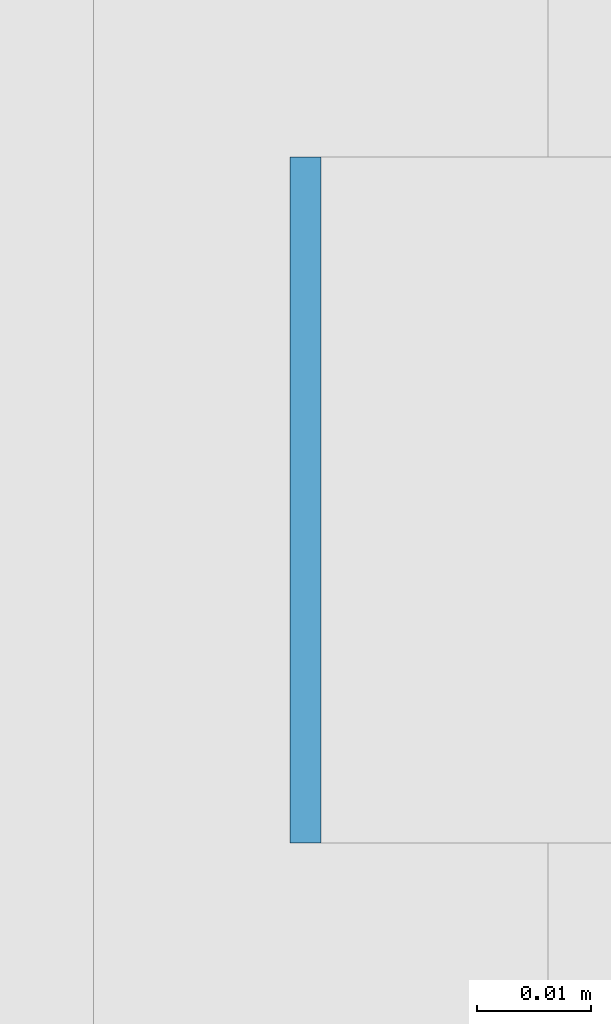
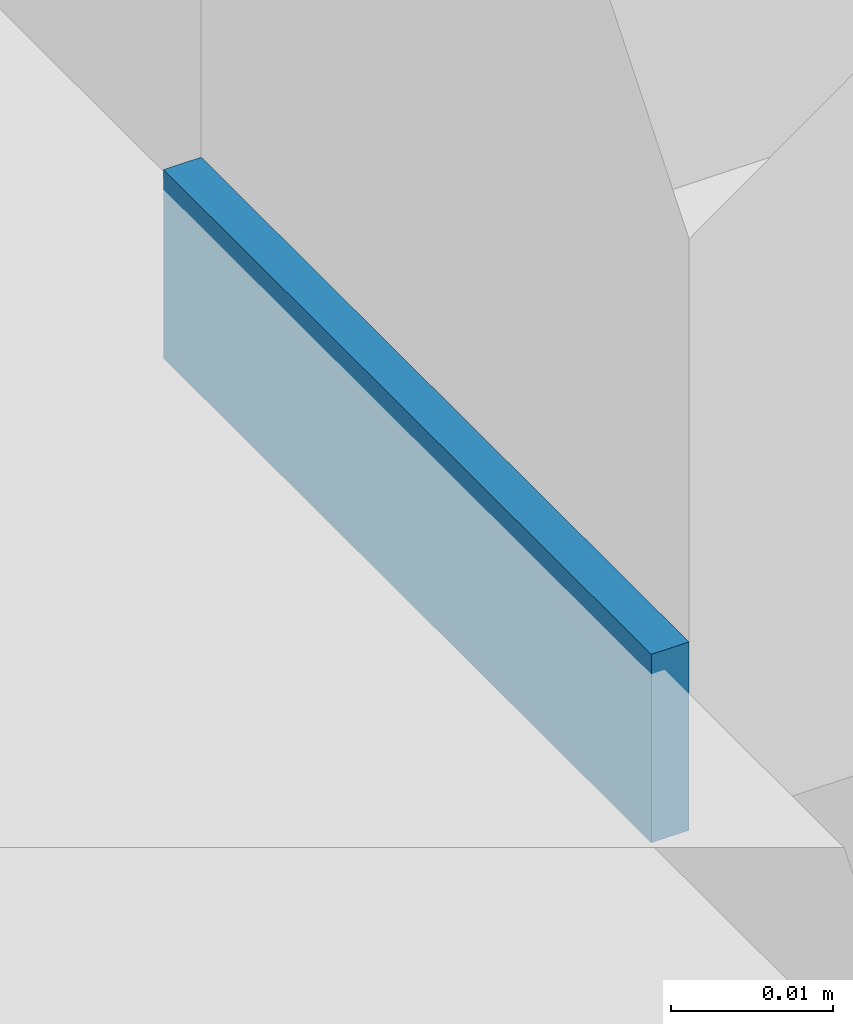
# One storey, part 612 of 646: 1 discrete accessory.
"""IFC4 building model written with IfcOpenShell, lengths in metres."""

from ifc_helpers import new_model, si_unit, direction, frame, origin, origin_2d, place, context, subcontext, project, spatial, rectangle, extrude, material, type_object, element, save


model = new_model("IFC4")

# Units and contexts
model_context = context("Model", 3, precision=1e-05, world=origin(), true_north=direction((0.0, 1.0)))
body_context = subcontext(model_context, "Body", "Model", "MODEL_VIEW")
ifc_project = project(units=[si_unit("LENGTHUNIT", "METRE"), si_unit("AREAUNIT", "SQUARE_METRE"), si_unit("VOLUMEUNIT", "CUBIC_METRE"), si_unit("PLANEANGLEUNIT", "RADIAN"), si_unit("MASSUNIT", "GRAM", prefix="KILO")], contexts=[model_context])

# Site, building, storey
site_placement = place(None, origin())
site = spatial("IfcSite", under=ifc_project, at=site_placement, CompositionType="ELEMENT")
building_placement = place(site_placement, origin())
building = spatial("IfcBuilding", under=site, at=building_placement, Name="Silverbay Arena", CompositionType="ELEMENT")
storey_placement = place(building_placement, frame((0.0, 0.0, 33.5)))
storey = spatial("IfcBuildingStorey", under=building, at=storey_placement, Name="L05", CompositionType="ELEMENT", Elevation=33.5)

# Discrete accessory
ifc_material = material(Name="Steel S355", Category="steel")
discrete_accessory_type = type_object("IfcDiscreteAccessoryType", Name="Steel bracket plate", PredefinedType="BRACKET", material=ifc_material)
discrete_accessory_placement = place(storey_placement, frame((207.128662109375, 130.300048828125, 4.0), z_axis=(0.0, 0.0, 1.0), x_axis=(1.0, 0.0, 0.0)))
element("IfcDiscreteAccessory", 1, at=discrete_accessory_placement, inside=storey, type_object=discrete_accessory_type, Name="Curtain wall packing plate", PredefinedType="BRACKET", context=body_context, shape_type="SweptSolid", body=[
    extrude(rectangle(XDim=0.002685546875, YDim=0.06005859375, at=origin_2d()), origin(), (0.0, 0.0, 1.0), 0.01416015625),
])

save(model, "model.ifc")
